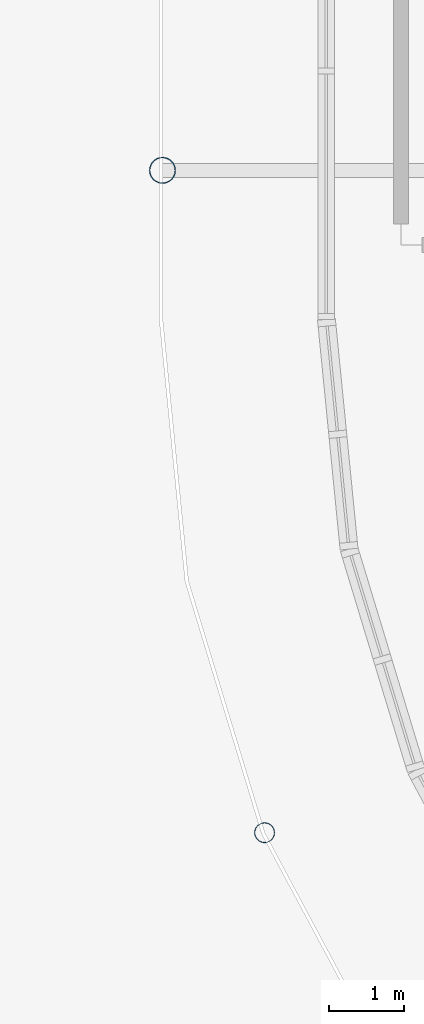
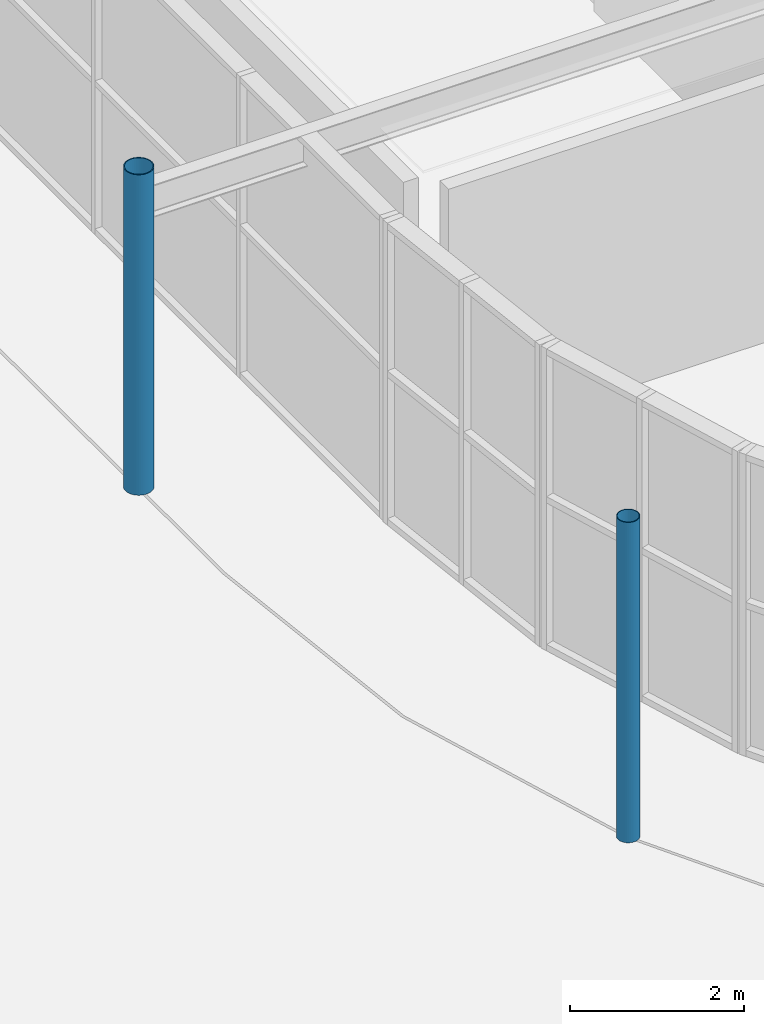
# One storey, part 2 of 119: 2 columns.
"""IFC4 building model written with IfcOpenShell, lengths in metres."""

from ifc_helpers import new_model, si_unit, derived_unit, direction, frame, origin, origin_2d_with_axis, place, context, subcontext, project, spatial, hollow_circle, extrude, material, material_profile, profile_set, type_object, element, save


model = new_model("IFC4")

# Units and contexts
model_context = context("Model", 3, precision=1e-05, world=origin(), true_north=direction((0.0, 1.0)))
body_context = subcontext(model_context, "Body", "Model", "MODEL_VIEW")
ifc_project = project(units=[si_unit("LENGTHUNIT", "METRE"), si_unit("AREAUNIT", "SQUARE_METRE"), si_unit("VOLUMEUNIT", "CUBIC_METRE"), si_unit("PLANEANGLEUNIT", "RADIAN"), si_unit("MASSUNIT", "GRAM", prefix="KILO"), derived_unit("THERMALTRANSMITTANCEUNIT", [(si_unit("POWERUNIT", "WATT"), 1), (si_unit("LENGTHUNIT", "METRE"), -2), (si_unit("THERMODYNAMICTEMPERATUREUNIT", "KELVIN"), -1)])], contexts=[model_context])

# Site, building, storey
site_placement = place(None, origin())
site = spatial("IfcSite", under=ifc_project, at=site_placement, CompositionType="ELEMENT")
building_placement = place(site_placement, origin())
building = spatial("IfcBuilding", under=site, at=building_placement, Name="Cinnabar Yard Market Hall", CompositionType="ELEMENT")
storey_placement = place(building_placement, origin())
storey = spatial("IfcBuildingStorey", under=building, at=storey_placement, Name="L00", CompositionType="ELEMENT", Elevation=0.0)

# Columns
ifc_material = material(Name="Spotted-gum glulam-clad steel Grade 350 (350 MPa)", Category="steel")
ifc_material_profile_1 = material_profile(ifc_material, hollow_circle(Radius=0.177734375, WallThickness=0.0126953125, at=origin_2d_with_axis()), Name="355.6x12.7CHS")
ifc_profile_set_1 = profile_set([ifc_material_profile_1], Name="Spotted-gum glulam-clad steel Grade 350 (350 MPa)")
column_type_1 = type_object("IfcColumnType", Name="COL-C02E", PredefinedType="COLUMN", material=ifc_profile_set_1)
column_1_placement = place(storey_placement, frame((66.0, 34.0, 0.0), z_axis=(0.0, 0.0, 1.0), x_axis=(1.0, 0.0, 0.0)))
element("IfcColumn", 1, at=column_1_placement, inside=storey, type_object=column_type_1, Name="Tree Column V1W-01 L00", PredefinedType="COLUMN", context=body_context, shape_type="SweptSolid", body=[
    extrude(hollow_circle(Radius=0.177734375, WallThickness=0.0126953125, at=origin_2d_with_axis()), origin(), (0.0, 0.0, 1.0), 4.5),
])
ifc_material_profile_2 = material_profile(ifc_material, hollow_circle(Radius=0.136474609375, WallThickness=0.00927734375, at=origin_2d_with_axis()), Name="273.1x9.3CHS")
ifc_profile_set_2 = profile_set([ifc_material_profile_2], Name="Spotted-gum glulam-clad steel Grade 350 (350 MPa)")
column_type_2 = type_object("IfcColumnType", Name="COL-C04E", PredefinedType="COLUMN", material=ifc_profile_set_2)
column_2_placement = place(storey_placement, frame((67.3701171875, 25.11181640625, 0.0), z_axis=(0.0, 0.0, 1.0), x_axis=(1.0, 0.0, 0.0)))
element("IfcColumn", 2, at=column_2_placement, inside=storey, type_object=column_type_2, Name="Tree Column V1C-SW2 L00", PredefinedType="COLUMN", context=body_context, shape_type="SweptSolid", body=[
    extrude(hollow_circle(Radius=0.136474609375, WallThickness=0.00927734375, at=origin_2d_with_axis()), origin(), (0.0, 0.0, 1.0), 4.5),
])

save(model, "model.ifc")
